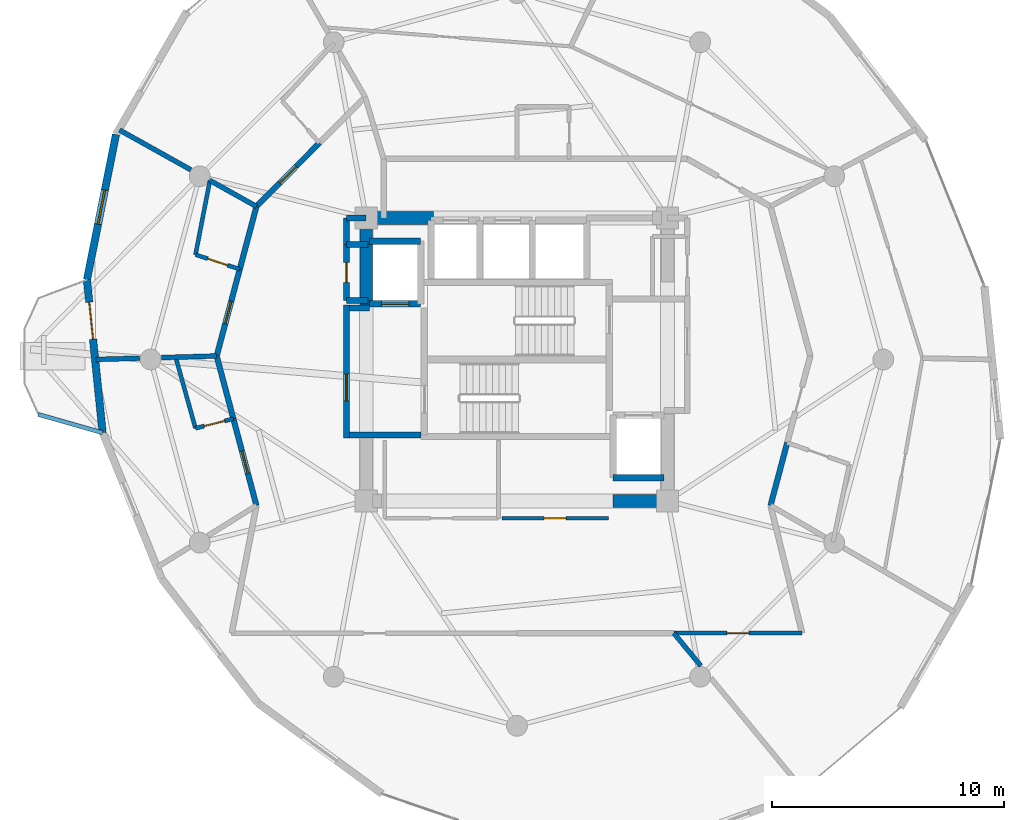
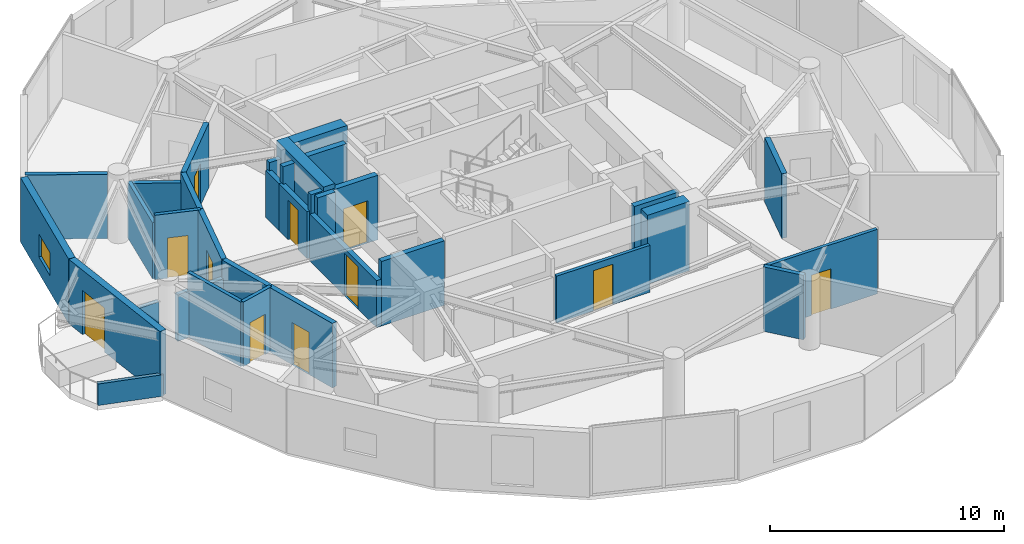
# One storey, part 12 of 17: 34 walls, 11 doors, 1 window, 12 openings.
"""IFC4 building model written with IfcOpenShell, lengths in metres."""

from ifc_helpers import new_model, si_unit, direction, frame, frame_2d, origin, place, context, subcontext, project, spatial, rectangle, extrude, material, layer, layer_set, type_object, element, fill, save


model = new_model("IFC4")

# Units and contexts
model_context = context("Model", 3, precision=1e-05, world=origin(), true_north=direction((0.0, 1.0)))
body_context = subcontext(model_context, "Body", "Model", "MODEL_VIEW")
ifc_project = project(units=[si_unit("LENGTHUNIT", "METRE"), si_unit("AREAUNIT", "SQUARE_METRE"), si_unit("VOLUMEUNIT", "CUBIC_METRE"), si_unit("PLANEANGLEUNIT", "RADIAN"), si_unit("MASSUNIT", "GRAM", prefix="KILO")], contexts=[model_context])

# Site, building, storey
site_placement = place(None, origin())
site = spatial("IfcSite", under=ifc_project, at=site_placement, CompositionType="ELEMENT")
building_placement = place(site_placement, origin())
building = spatial("IfcBuilding", under=site, at=building_placement, Name="Solvirekh Grand Hotel", CompositionType="ELEMENT")
storey_placement = place(building_placement, frame((0.0, 0.0, 191.199951171875)))
storey = spatial("IfcBuildingStorey", under=building, at=storey_placement, Name="L49", CompositionType="ELEMENT", Elevation=191.199951171875)

# Wall, opening, door
ifc_material_1 = material(Name="Concrete C40/50", Category="concrete")
ifc_layer_1 = layer(ifc_material_1, 0.280029296875)
ifc_layer_set_1 = layer_set([ifc_layer_1], Name="Concrete C40/50")
wall_type_1 = type_object("IfcWallType", Name="CoreShaftWall_RC280", PredefinedType="SOLIDWALL", material=ifc_layer_set_1)
wall_1_placement = place(storey_placement, frame((-6.35009765625, 2.39990234375, 0.0), z_axis=(0.0, 0.0, 1.0), x_axis=(1.0, 0.0, 0.0)))
wall_1 = element("IfcWall", 1, at=wall_1_placement, inside=storey, type_object=wall_type_1, Name="L49 FL-1 hoistway S wall", PredefinedType="SOLIDWALL", context=body_context, shape_type="SweptSolid", body=[
    extrude(rectangle(XDim=2.2001953125, YDim=0.280029296875, at=frame_2d((1.10009765625, 0.0))), origin(), (0.0, 0.0, 1.0), 3.360107421875),
])
opening_1_placement = place(wall_1_placement, frame((0.5, 0.0, 0.0)))
opening_1 = element("IfcOpeningElement", 2, at=opening_1_placement, cuts=wall_1, Name="Opening LD02", PredefinedType="OPENING", context=body_context, shape_type="SweptSolid", body=[
    extrude(rectangle(XDim=1.199951171875, YDim=2.199951171875, at=frame_2d((0.60009765625, 1.10009765625))), frame((0.0, 0.14990234375, 0.0), z_axis=(0.0, -1.0, 0.0), x_axis=(1.0, 0.0, 0.0)), (0.0, 0.0, 1.0), 0.300048828125),
])
ifc_material_2 = material(Name="Fire-Rated Steel Door Assembly", Category="steel")
door_type_1 = type_object("IfcDoorType", Name="Door_LiftFF_1200X2200", OperationType="SLIDING_TO_LEFT", PredefinedType="DOOR", material=ifc_material_2)
door_1_placement = place(opening_1_placement, origin())
door_1 = element("IfcDoor", 3, at=door_1_placement, inside=storey, type_object=door_type_1, Name="L49 FL-1 sliding lift landing door", OperationType="SLIDING_TO_LEFT", OverallHeight=2.199951171875, OverallWidth=1.199951171875, PredefinedType="DOOR", context=body_context, shape_type="SweptSolid", body=[
    extrude(rectangle(XDim=1.199951171875, YDim=2.199951171875, at=frame_2d((0.60009765625, 1.10009765625))), frame((0.0, 0.02490234375, 0.0), z_axis=(0.0, -1.0, 0.0), x_axis=(1.0, 0.0, 0.0)), (0.0, 0.0, 1.0), 0.050048828125),
])
fill(opening_1, door_1)

# Walls
for number, where, z_axis, x_axis, name in (
    (4, (-4.14990234375, 5.10009765625, 0.0), (0.0, 0.0, 1.0), (-1.0, 0.0, 0.0), "L49 FL-1 hoistway N wall"),
    (5, (4.14990234375, -5.10009765625, 0.0), (0.0, 0.0, 1.0), (1.0, 0.0, 0.0), "L49 FL-2 hoistway S wall"),
):
    element("IfcWall", number, at=place(storey_placement, frame(where, z_axis=z_axis, x_axis=x_axis)), inside=storey, type_object=wall_type_1, Name=name, PredefinedType="SOLIDWALL", context=body_context, shape_type="SweptSolid", body=[
        extrude(rectangle(XDim=2.2001953125, YDim=0.280029296875, at=frame_2d((1.10009765625, 0.0))), origin(), (0.0, 0.0, 1.0), 3.360107421875),
    ])
ifc_material_3 = material(Name="Concrete C50/60", Category="concrete")
ifc_layer_2 = layer(ifc_material_3, 0.550048828125)
ifc_layer_set_2 = layer_set([ifc_layer_2], Name="Concrete C50/60")
wall_type_2 = type_object("IfcWallType", Name="CoreWall_RC550", PredefinedType="SHEAR", material=ifc_layer_set_2)
wall_2_placement = place(storey_placement, frame((4.14990234375, -6.10009765625, 0.0), z_axis=(0.0, 0.0, 1.0), x_axis=(1.0, 0.0, 0.0)))
element("IfcWall", 6, at=wall_2_placement, inside=storey, type_object=wall_type_2, Name="L49 core corner shear wall SE-S", PredefinedType="SHEAR", context=body_context, shape_type="SweptSolid", body=[
    extrude(rectangle(XDim=2.0751953125, YDim=0.550048828125, at=frame_2d((1.03759765625, 0.0))), origin(), (0.0, 0.0, 1.0), 3.60009765625),
])
wall_3_placement = place(storey_placement, frame((-6.22509765625, 6.10009765625, 0.0), z_axis=(0.0, 0.0, 1.0), x_axis=(1.0, 0.0, 0.0)))
element("IfcWall", 7, at=wall_3_placement, inside=storey, type_object=wall_type_2, Name="L49 core corner shear wall NW-N", PredefinedType="SHEAR", context=body_context, shape_type="SweptSolid", body=[
    extrude(rectangle(XDim=2.625, YDim=0.550048828125, at=frame_2d((1.3125, 0.0))), origin(), (0.0, 0.0, 1.0), 3.60009765625),
])
wall_4_placement = place(storey_placement, frame((-6.5, 2.35009765625, 0.0), z_axis=(0.0, 0.0, 1.0), x_axis=(0.0, 1.0, 0.0)))
element("IfcWall", 8, at=wall_4_placement, inside=storey, type_object=wall_type_2, Name="L49 core corner shear wall WN-W", PredefinedType="SHEAR", context=body_context, shape_type="SweptSolid", body=[
    extrude(rectangle(XDim=4.02490234375, YDim=0.550048828125, at=frame_2d((2.012451171875, 0.0))), origin(), (0.0, 0.0, 1.0), 3.60009765625),
])

# Wall, opening, window
ifc_material_4 = material(Name="Precast concrete C45/55", Category="concrete")
ifc_layer_3 = layer(ifc_material_4, 0.320068359375)
ifc_layer_set_3 = layer_set([ifc_layer_3], Name="Precast concrete C45/55")
wall_type_3 = type_object("IfcWallType", Name="ExtLobbyWall_RC320", PredefinedType="SOLIDWALL", material=ifc_layer_set_3)
wall_5_placement = place(storey_placement, frame((-18.544921875, 3.44091796875, 0.0), z_axis=(0.0, 0.0, 1.0), x_axis=(0.195954463574, 0.980612996144, 0.0)))
wall_5 = element("IfcWall", 9, at=wall_5_placement, inside=storey, type_object=wall_type_3, Name="L49 cantilevered deck support wall chord 13", PredefinedType="SOLIDWALL", context=body_context, shape_type="SweptSolid", body=[
    extrude(rectangle(XDim=6.388916015625, YDim=0.320068359375, at=frame_2d((3.1943359375, 0.0))), origin(), (0.0, 0.0, 1.0), 3.360107421875),
])
opening_2_placement = place(wall_5_placement, frame((2.444091796875, 0.0, 0.85009765625)))
opening_2 = element("IfcOpeningElement", 10, at=opening_2_placement, cuts=wall_5, Name="Opening W05", PredefinedType="OPENING", context=body_context, shape_type="SweptSolid", body=[
    extrude(rectangle(XDim=1.5, YDim=1.199951171875, at=frame_2d((0.75, 0.60009765625))), frame((0.0, 0.169921875, 0.0), z_axis=(0.0, -1.0, 0.0), x_axis=(1.0, 0.0, 0.0)), (0.0, 0.0, 1.0), 0.340087890625),
])
ifc_material_5 = material(Name="Low-E Tinted Bronze Laminated Glass", Category="aluminium")
window_type = type_object("IfcWindowType", Name="Win_PlantVent_1500X1200", PartitioningType="SINGLE_PANEL", PredefinedType="WINDOW", material=ifc_material_5)
window_placement = place(opening_2_placement, origin())
window = element("IfcWindow", 11, at=window_placement, inside=storey, type_object=window_type, Name="L49 bronze-framed vision ribbon window 13", OverallHeight=1.199951171875, OverallWidth=1.5, PartitioningType="SINGLE_PANEL", PredefinedType="WINDOW", context=body_context, shape_type="SweptSolid", body=[
    extrude(rectangle(XDim=1.5, YDim=1.199951171875, at=frame_2d((0.75, 0.60009765625))), frame((0.0, 0.030029296875, 0.0), z_axis=(0.0, -1.0, 0.0), x_axis=(1.0, 0.0, 0.0)), (0.0, 0.0, 1.0), 0.06005859375),
])
fill(opening_2, window)

# Wall, opening, door
wall_6_placement = place(storey_placement, frame((-17.868896484375, -3.160888671875, 0.0), z_axis=(0.0, 0.0, 1.0), x_axis=(-0.101867372905, 0.994797988708, 0.0)))
wall_6 = element("IfcWall", 12, at=wall_6_placement, inside=storey, type_object=wall_type_3, Name="L49 exterior structural wall chord 14", PredefinedType="SOLIDWALL", context=body_context, shape_type="SweptSolid", body=[
    extrude(rectangle(XDim=6.63623046875, YDim=0.320068359375, at=frame_2d((3.318115234375, 0.0))), origin(), (0.0, 0.0, 1.0), 3.360107421875),
])
opening_3_placement = place(wall_6_placement, frame((4.054931640625, 0.0, 0.0)))
opening_3 = element("IfcOpeningElement", 13, at=opening_3_placement, cuts=wall_6, Name="Opening D04", PredefinedType="OPENING", context=body_context, shape_type="SweptSolid", body=[
    extrude(rectangle(XDim=1.60009765625, YDim=2.300048828125, at=frame_2d((0.800048828125, 1.14990234375))), frame((0.0, 0.169921875, 0.0), z_axis=(0.0, -1.0, 0.0), x_axis=(1.0, 0.0, 0.0)), (0.0, 0.0, 1.0), 0.340087890625),
])
ifc_material_6 = material(Name="Anodized Bronze Aluminium 6063-T6", Category="aluminium")
door_type_2 = type_object("IfcDoorType", Name="Door_ExtTerrace_1600X2300", OperationType="NOTDEFINED", PredefinedType="DOOR", material=ifc_material_6)
door_2_placement = place(opening_3_placement, origin())
door_2 = element("IfcDoor", 14, at=door_2_placement, inside=storey, type_object=door_type_2, Name="L49 West horn sky-garden terrace door (14)", OperationType="SINGLE_SWING_LEFT", OverallHeight=2.300048828125, OverallWidth=1.60009765625, PredefinedType="DOOR", context=body_context, shape_type="SweptSolid", body=[
    extrude(rectangle(XDim=1.60009765625, YDim=2.300048828125, at=frame_2d((0.800048828125, 1.14990234375))), frame((0.0, 0.02490234375, 0.0), z_axis=(0.0, -1.0, 0.0), x_axis=(1.0, 0.0, 0.0)), (0.0, 0.0, 1.0), 0.050048828125),
])
fill(opening_3, door_2)

# Wall
ifc_layer_4 = layer(ifc_material_4, 0.179931640625)
ifc_layer_set_4 = layer_set([ifc_layer_4], Name="Precast concrete C45/55")
wall_type_4 = type_object("IfcWallType", Name="ExtPlanterWall_180", PredefinedType="PARAPET", material=ifc_layer_set_4)
wall_7_placement = place(storey_placement, frame((-20.64501953125, -2.368896484375, 0.0), z_axis=(0.0, 0.0, 1.0), x_axis=(0.961632376074, -0.274341344471, 0.0)))
element("IfcWall", 15, at=wall_7_placement, inside=storey, type_object=wall_type_4, Name="L49 horn sky-garden planter parapet", PredefinedType="PARAPET", context=body_context, shape_type="SweptSolid", body=[
    extrude(rectangle(XDim=2.886962890625, YDim=0.179931640625, at=frame_2d((1.443359375, 0.0))), origin(), (0.0, 0.0, 1.0), 1.1201171875),
])

# Wall, opening, door
ifc_material_7 = material(Name="Acoustic Gypsum Partition Assembly")
ifc_layer_5 = layer(ifc_material_7, 0.1650390625)
ifc_layer_set_5 = layer_set([ifc_layer_5], Name="Acoustic Gypsum Partition Assembly")
wall_type_5 = type_object("IfcWallType", Name="Part_BOH_165", PredefinedType="PARTITIONING", material=ifc_layer_set_5)
wall_8_placement = place(storey_placement, frame((-0.64990234375, -6.85009765625, 0.0), z_axis=(0.0, 0.0, 1.0), x_axis=(1.0, 0.0, 0.0)))
wall_8 = element("IfcWall", 16, at=wall_8_placement, inside=storey, type_object=wall_type_5, Name="L49 Butler Valet Steward Room wall 1", PredefinedType="PARTITIONING", context=body_context, shape_type="SweptSolid", body=[
    extrude(rectangle(XDim=4.599853515625, YDim=0.1650390625, at=frame_2d((2.2998046875, 0.0))), origin(), (0.0, 0.0, 1.0), 2.445068359375),
])
opening_4_placement = place(wall_8_placement, frame((1.824951171875, 0.0, 0.0)))
opening_4 = element("IfcOpeningElement", 17, at=opening_4_placement, cuts=wall_8, Name="Opening D10", PredefinedType="OPENING", context=body_context, shape_type="SweptSolid", body=[
    extrude(rectangle(XDim=0.949951171875, YDim=2.10009765625, at=frame_2d((0.47509765625, 1.050048828125))), frame((0.0, 0.092529296875, 0.0), z_axis=(0.0, -1.0, 0.0), x_axis=(1.0, 0.0, 0.0)), (0.0, 0.0, 1.0), 0.18505859375),
])
door_type_3 = type_object("IfcDoorType", Name="Door_RoomInt_950X2100", OperationType="NOTDEFINED", PredefinedType="DOOR", material=ifc_material_6)
door_3_placement = place(opening_4_placement, origin())
door_3 = element("IfcDoor", 18, at=door_3_placement, inside=storey, type_object=door_type_3, Name="L49 Butler Valet Steward Room door", OperationType="SINGLE_SWING_LEFT", OverallHeight=2.10009765625, OverallWidth=0.949951171875, PredefinedType="DOOR", context=body_context, shape_type="SweptSolid", body=[
    extrude(rectangle(XDim=0.949951171875, YDim=2.10009765625, at=frame_2d((0.47509765625, 1.050048828125))), frame((0.0, 0.02490234375, 0.0), z_axis=(0.0, -1.0, 0.0), x_axis=(1.0, 0.0, 0.0)), (0.0, 0.0, 1.0), 0.050048828125),
])
fill(opening_4, door_3)

wall_9_placement = place(storey_placement, frame((6.764892578125, -11.800048828125, 0.0), z_axis=(0.0, 0.0, 1.0), x_axis=(1.0, 0.0, 0.0)))
wall_9 = element("IfcWall", 19, at=wall_9_placement, inside=storey, type_object=wall_type_5, Name="L49 L49 Butler Valet & Linen Steward Room entrance wall", PredefinedType="PARTITIONING", context=body_context, shape_type="SweptSolid", body=[
    extrude(rectangle(XDim=5.53515625, YDim=0.1650390625, at=frame_2d((2.767578125, 0.0))), origin(), (0.0, 0.0, 1.0), 3.360107421875),
])
opening_5_placement = place(wall_9_placement, frame((2.29296875, 0.0, 0.0)))
opening_5 = element("IfcOpeningElement", 20, at=opening_5_placement, cuts=wall_9, Name="Opening D10", PredefinedType="OPENING", context=body_context, shape_type="SweptSolid", body=[
    extrude(rectangle(XDim=0.949951171875, YDim=2.10009765625, at=frame_2d((0.47509765625, 1.050048828125))), frame((0.0, 0.092529296875, 0.0), z_axis=(0.0, -1.0, 0.0), x_axis=(1.0, 0.0, 0.0)), (0.0, 0.0, 1.0), 0.18505859375),
])
door_4_placement = place(opening_5_placement, origin())
door_4 = element("IfcDoor", 21, at=door_4_placement, inside=storey, type_object=door_type_3, Name="L49 L49 Butler Valet & Linen Steward Room entrance door", OperationType="SINGLE_SWING_LEFT", OverallHeight=2.10009765625, OverallWidth=0.949951171875, PredefinedType="DOOR", context=body_context, shape_type="SweptSolid", body=[
    extrude(rectangle(XDim=0.949951171875, YDim=2.10009765625, at=frame_2d((0.47509765625, 1.050048828125))), frame((0.0, 0.02490234375, 0.0), z_axis=(0.0, -1.0, 0.0), x_axis=(1.0, 0.0, 0.0)), (0.0, 0.0, 1.0), 0.050048828125),
])
fill(opening_5, door_4)

ifc_layer_6 = layer(ifc_material_7, 0.239990234375)
ifc_layer_set_6 = layer_set([ifc_layer_6], Name="Acoustic Gypsum Partition Assembly")
wall_type_6 = type_object("IfcWallType", Name="Part_Corridor_240", PredefinedType="PARTITIONING", material=ifc_layer_set_6)
wall_10_placement = place(storey_placement, frame((-7.35009765625, -3.3798828125, 0.0), z_axis=(0.0, 0.0, 1.0), x_axis=(0.0, 1.0, 0.0)))
wall_10 = element("IfcWall", 22, at=wall_10_placement, inside=storey, type_object=wall_type_6, Name="L49 west firefighting lobby smoke screen wall", PredefinedType="PARTITIONING", context=body_context, shape_type="SweptSolid", body=[
    extrude(rectangle(XDim=5.719970703125, YDim=0.239990234375, at=frame_2d((2.85986328125, 0.0))), origin(), (0.0, 0.0, 1.0), 2.445068359375),
])
opening_6_placement = place(wall_10_placement, frame((1.59912109375, 0.0, 0.0)))
opening_6 = element("IfcOpeningElement", 23, at=opening_6_placement, cuts=wall_10, Name="Opening D06", PredefinedType="OPENING", context=body_context, shape_type="SweptSolid", body=[
    extrude(rectangle(XDim=1.14990234375, YDim=2.199951171875, at=frame_2d((0.574951171875, 1.10009765625))), frame((0.0, 0.1298828125, 0.0), z_axis=(0.0, -1.0, 0.0), x_axis=(1.0, 0.0, 0.0)), (0.0, 0.0, 1.0), 0.260009765625),
])
door_type_4 = type_object("IfcDoorType", Name="Door_FFLobby_1150X2200", OperationType="NOTDEFINED", PredefinedType="DOOR", material=ifc_material_2)
door_5_placement = place(opening_6_placement, origin())
door_5 = element("IfcDoor", 24, at=door_5_placement, inside=storey, type_object=door_type_4, Name="L49 west firefighting lobby smoke door", OperationType="SINGLE_SWING_RIGHT", OverallHeight=2.199951171875, OverallWidth=1.14990234375, PredefinedType="DOOR", context=body_context, shape_type="SweptSolid", body=[
    extrude(rectangle(XDim=1.14990234375, YDim=2.199951171875, at=frame_2d((0.574951171875, 1.10009765625))), frame((0.0, 0.02490234375, 0.0), z_axis=(0.0, -1.0, 0.0), x_axis=(1.0, 0.0, 0.0)), (0.0, 0.0, 1.0), 0.050048828125),
])
fill(opening_6, door_5)

# Walls
wall_11_placement = place(storey_placement, frame((-7.35009765625, 4.949951171875, 0.0), z_axis=(0.0, 0.0, 1.0), x_axis=(0.0, 1.0, 0.0)))
element("IfcWall", 25, at=wall_11_placement, inside=storey, type_object=wall_type_6, Name="L49 NW core cheek closure wall", PredefinedType="PARTITIONING", context=body_context, shape_type="SweptSolid", body=[
    extrude(rectangle(XDim=1.150146484375, YDim=0.239990234375, at=frame_2d((0.5751953125, 0.0))), origin(), (0.0, 0.0, 1.0), 2.445068359375),
])
wall_12_placement = place(storey_placement, frame((-7.35009765625, 6.10009765625, 0.0), z_axis=(0.0, 0.0, 1.0), x_axis=(1.0, 0.0, 0.0)))
element("IfcWall", 26, at=wall_12_placement, inside=storey, type_object=wall_type_6, Name="L49 NW core corner tie wall", PredefinedType="PARTITIONING", context=body_context, shape_type="SweptSolid", body=[
    extrude(rectangle(XDim=0.85009765625, YDim=0.239990234375, at=frame_2d((0.425048828125, 0.0))), origin(), (0.0, 0.0, 1.0), 2.8759765625),
])

# Wall, opening, door
wall_13_placement = place(storey_placement, frame((-8.51806640625, 9.339111328125, 0.0), z_axis=(0.0, 0.0, 1.0), x_axis=(-0.7042534056, -0.70994868878, 0.0)))
wall_13 = element("IfcWall", 27, at=wall_13_placement, inside=storey, type_object=wall_type_6, Name="L49 Deluxe Guestroom 5102 entrance wall", PredefinedType="PARTITIONING", context=body_context, shape_type="SweptSolid", body=[
    extrude(rectangle(XDim=3.858154296875, YDim=0.239990234375, at=frame_2d((1.92919921875, 0.0))), origin(), (0.0, 0.0, 1.0), 3.360107421875),
])
opening_7_placement = place(wall_13_placement, frame((1.428955078125, 0.0, 0.0)))
opening_7 = element("IfcOpeningElement", 28, at=opening_7_placement, cuts=wall_13, Name="Opening D07", PredefinedType="OPENING", context=body_context, shape_type="SweptSolid", body=[
    extrude(rectangle(XDim=1.0, YDim=2.199951171875, at=frame_2d((0.5, 1.10009765625))), frame((0.0, 0.1298828125, 0.0), z_axis=(0.0, -1.0, 0.0), x_axis=(1.0, 0.0, 0.0)), (0.0, 0.0, 1.0), 0.260009765625),
])
door_type_5 = type_object("IfcDoorType", Name="Door_GuestEntry_1000X2200", OperationType="NOTDEFINED", PredefinedType="DOOR", material=ifc_material_2)
door_6_placement = place(opening_7_placement, origin())
door_6 = element("IfcDoor", 29, at=door_6_placement, inside=storey, type_object=door_type_5, Name="L49 Deluxe Guestroom 5102 entrance door", OperationType="SINGLE_SWING_LEFT", OverallHeight=2.199951171875, OverallWidth=1.0, PredefinedType="DOOR", context=body_context, shape_type="SweptSolid", body=[
    extrude(rectangle(XDim=1.0, YDim=2.199951171875, at=frame_2d((0.5, 1.10009765625))), frame((0.0, 0.02490234375, 0.0), z_axis=(0.0, -1.0, 0.0), x_axis=(1.0, 0.0, 0.0)), (0.0, 0.0, 1.0), 0.050048828125),
])
fill(opening_7, door_6)

# Wall
wall_14_placement = place(storey_placement, frame((-11.235107421875, 6.60009765625, 0.0), z_axis=(0.0, 0.0, 1.0), x_axis=(-0.25685481711, -0.966450000221, 0.0)))
element("IfcWall", 30, at=wall_14_placement, inside=storey, type_object=wall_type_6, Name="L49 En-suite Bathroom 5103 corridor backing wall", PredefinedType="PARTITIONING", context=body_context, shape_type="SweptSolid", body=[
    extrude(rectangle(XDim=2.802978515625, YDim=0.239990234375, at=frame_2d((1.4013671875, 0.0))), origin(), (0.0, 0.0, 1.0), 3.360107421875),
])

# Wall, opening, door
wall_15_placement = place(storey_placement, frame((-11.955078125, 3.89111328125, 0.0), z_axis=(0.0, 0.0, 1.0), x_axis=(-0.256991373998, -0.96641369697, 0.0)))
wall_15 = element("IfcWall", 31, at=wall_15_placement, inside=storey, type_object=wall_type_6, Name="L49 Deluxe Guestroom 5103 entrance wall", PredefinedType="PARTITIONING", context=body_context, shape_type="SweptSolid", body=[
    extrude(rectangle(XDim=3.871337890625, YDim=0.239990234375, at=frame_2d((1.935546875, 0.0))), origin(), (0.0, 0.0, 1.0), 3.360107421875),
])
opening_8_placement = place(wall_15_placement, frame((1.43603515625, 0.0, 0.0)))
opening_8 = element("IfcOpeningElement", 32, at=opening_8_placement, cuts=wall_15, Name="Opening D07", PredefinedType="OPENING", context=body_context, shape_type="SweptSolid", body=[
    extrude(rectangle(XDim=1.0, YDim=2.199951171875, at=frame_2d((0.5, 1.10009765625))), frame((0.0, 0.1298828125, 0.0), z_axis=(0.0, -1.0, 0.0), x_axis=(1.0, 0.0, 0.0)), (0.0, 0.0, 1.0), 0.260009765625),
])
door_7_placement = place(opening_8_placement, origin())
door_7 = element("IfcDoor", 33, at=door_7_placement, inside=storey, type_object=door_type_5, Name="L49 Deluxe Guestroom 5103 entrance door", OperationType="SINGLE_SWING_LEFT", OverallHeight=2.199951171875, OverallWidth=1.0, PredefinedType="DOOR", context=body_context, shape_type="SweptSolid", body=[
    extrude(rectangle(XDim=1.0, YDim=2.199951171875, at=frame_2d((0.5, 1.10009765625))), frame((0.0, 0.02490234375, 0.0), z_axis=(0.0, -1.0, 0.0), x_axis=(1.0, 0.0, 0.0)), (0.0, 0.0, 1.0), 0.050048828125),
])
fill(opening_8, door_7)

# Wall
wall_16_placement = place(storey_placement, frame((-12.949951171875, 0.14990234375, 0.0), z_axis=(0.0, 0.0, 1.0), x_axis=(0.25685481711, -0.966450000221, 0.0)))
element("IfcWall", 34, at=wall_16_placement, inside=storey, type_object=wall_type_6, Name="L49 En-suite Bathroom 5104 corridor backing wall", PredefinedType="PARTITIONING", context=body_context, shape_type="SweptSolid", body=[
    extrude(rectangle(XDim=2.802978515625, YDim=0.239990234375, at=frame_2d((1.4013671875, 0.0))), origin(), (0.0, 0.0, 1.0), 3.360107421875),
])

# Wall, opening, door
wall_17_placement = place(storey_placement, frame((-12.22998046875, -2.55908203125, 0.0), z_axis=(0.0, 0.0, 1.0), x_axis=(0.257007037833, -0.966409531464, 0.0)))
wall_17 = element("IfcWall", 35, at=wall_17_placement, inside=storey, type_object=wall_type_6, Name="L49 Deluxe Guestroom 5104 entrance wall", PredefinedType="PARTITIONING", context=body_context, shape_type="SweptSolid", body=[
    extrude(rectangle(XDim=3.87109375, YDim=0.239990234375, at=frame_2d((1.935546875, 0.0))), origin(), (0.0, 0.0, 1.0), 3.360107421875),
])
opening_9_placement = place(wall_17_placement, frame((1.43603515625, 0.0, 0.0)))
opening_9 = element("IfcOpeningElement", 36, at=opening_9_placement, cuts=wall_17, Name="Opening D07", PredefinedType="OPENING", context=body_context, shape_type="SweptSolid", body=[
    extrude(rectangle(XDim=1.0, YDim=2.199951171875, at=frame_2d((0.5, 1.10009765625))), frame((0.0, 0.1298828125, 0.0), z_axis=(0.0, -1.0, 0.0), x_axis=(1.0, 0.0, 0.0)), (0.0, 0.0, 1.0), 0.260009765625),
])
door_8_placement = place(opening_9_placement, origin())
door_8 = element("IfcDoor", 37, at=door_8_placement, inside=storey, type_object=door_type_5, Name="L49 Deluxe Guestroom 5104 entrance door", OperationType="SINGLE_SWING_LEFT", OverallHeight=2.199951171875, OverallWidth=1.0, PredefinedType="DOOR", context=body_context, shape_type="SweptSolid", body=[
    extrude(rectangle(XDim=1.0, YDim=2.199951171875, at=frame_2d((0.5, 1.10009765625))), frame((0.0, 0.02490234375, 0.0), z_axis=(0.0, -1.0, 0.0), x_axis=(1.0, 0.0, 0.0)), (0.0, 0.0, 1.0), 0.050048828125),
])
fill(opening_9, door_8)

# Walls
wall_18_placement = place(storey_placement, frame((10.93505859375, -6.300048828125, 0.0), z_axis=(0.0, 0.0, 1.0), x_axis=(0.25685481711, 0.966450000221, 0.0)))
element("IfcWall", 38, at=wall_18_placement, inside=storey, type_object=wall_type_6, Name="L49 En-suite Bathroom 5105 corridor backing wall", PredefinedType="PARTITIONING", context=body_context, shape_type="SweptSolid", body=[
    extrude(rectangle(XDim=2.802978515625, YDim=0.239990234375, at=frame_2d((1.4013671875, 0.0))), origin(), (0.0, 0.0, 1.0), 3.360107421875),
])
ifc_layer_7 = layer(ifc_material_7, 0.260009765625)
ifc_layer_set_7 = layer_set([ifc_layer_7], Name="Acoustic Gypsum Partition Assembly")
wall_type_7 = type_object("IfcWallType", Name="Part_LobbyFF_260", PredefinedType="PARTITIONING", material=ifc_layer_set_7)
wall_19_placement = place(storey_placement, frame((-7.22509765625, -3.25, 0.0), z_axis=(0.0, 0.0, 1.0), x_axis=(1.0, 0.0, 0.0)))
element("IfcWall", 39, at=wall_19_placement, inside=storey, type_object=wall_type_7, Name="L49 west firefighting lobby south partition", PredefinedType="PARTITIONING", context=body_context, shape_type="SweptSolid", body=[
    extrude(rectangle(XDim=3.09521484375, YDim=0.260009765625, at=frame_2d((1.547607421875, 0.0))), origin(), (0.0, 0.0, 1.0), 3.360107421875),
])
wall_20_placement = place(storey_placement, frame((-7.22509765625, 2.2099609375, 0.0), z_axis=(0.0, 0.0, 1.0), x_axis=(1.0, 0.0, 0.0)))
element("IfcWall", 40, at=wall_20_placement, inside=storey, type_object=wall_type_7, Name="L49 west firefighting lobby NW cheek", PredefinedType="PARTITIONING", context=body_context, shape_type="SweptSolid", body=[
    extrude(rectangle(XDim=0.875, YDim=0.260009765625, at=frame_2d((0.4375, 0.0))), origin(), (0.0, 0.0, 1.0), 3.360107421875),
])
for number, where, z_axis, x_axis, name in (
    (41, (-7.35009765625, 4.949951171875, 0.0), (0.0, 0.0, 1.0), (1.0, 0.0, 0.0), "L49 NW telecom metering cupboard north wall"),
    (42, (-7.35009765625, 2.550048828125, 0.0), (0.0, 0.0, 1.0), (1.0, 0.0, 0.0), "L49 NW telecom metering cupboard south wall"),
):
    element("IfcWall", number, at=place(storey_placement, frame(where, z_axis=z_axis, x_axis=x_axis)), inside=storey, type_object=wall_type_7, Name=name, PredefinedType="PARTITIONING", context=body_context, shape_type="SweptSolid", body=[
        extrude(rectangle(XDim=0.93017578125, YDim=0.260009765625, at=frame_2d((0.465087890625, 0.0))), origin(), (0.0, 0.0, 1.0), 3.360107421875),
    ])

# Wall, opening, door
wall_21_placement = place(storey_placement, frame((-7.35009765625, 2.550048828125, 0.0), z_axis=(0.0, 0.0, 1.0), x_axis=(0.0, 1.0, 0.0)))
wall_21 = element("IfcWall", 43, at=wall_21_placement, inside=storey, type_object=wall_type_7, Name="L49 NW telecom metering cupboard access wall", PredefinedType="PARTITIONING", context=body_context, shape_type="SweptSolid", body=[
    extrude(rectangle(XDim=2.39990234375, YDim=0.260009765625, at=frame_2d((1.199951171875, 0.0))), origin(), (0.0, 0.0, 1.0), 2.445068359375),
])
opening_10_placement = place(wall_21_placement, frame((0.77490234375, 0.0, 0.0)))
opening_10 = element("IfcOpeningElement", 44, at=opening_10_placement, cuts=wall_21, Name="Opening D13", PredefinedType="OPENING", context=body_context, shape_type="SweptSolid", body=[
    extrude(rectangle(XDim=0.85009765625, YDim=2.050048828125, at=frame_2d((0.425048828125, 1.02490234375))), frame((0.0, 0.14013671875, 0.0), z_axis=(0.0, -1.0, 0.0), x_axis=(1.0, 0.0, 0.0)), (0.0, 0.0, 1.0), 0.280029296875),
])
door_type_6 = type_object("IfcDoorType", Name="Door_RiserShaft_850X2050", OperationType="NOTDEFINED", PredefinedType="DOOR", material=ifc_material_2)
door_9_placement = place(opening_10_placement, origin())
door_9 = element("IfcDoor", 45, at=door_9_placement, inside=storey, type_object=door_type_6, Name="L49 telecom metering cupboard access door", OperationType="SINGLE_SWING_RIGHT", OverallHeight=2.050048828125, OverallWidth=0.85009765625, PredefinedType="DOOR", context=body_context, shape_type="SweptSolid", body=[
    extrude(rectangle(XDim=0.85009765625, YDim=2.050048828125, at=frame_2d((0.425048828125, 1.02490234375))), frame((0.0, 0.02490234375, 0.0), z_axis=(0.0, -1.0, 0.0), x_axis=(1.0, 0.0, 0.0)), (0.0, 0.0, 1.0), 0.050048828125),
])
fill(opening_10, door_9)

# Walls
ifc_layer_8 = layer(ifc_material_7, 0.2099609375)
ifc_layer_set_8 = layer_set([ifc_layer_8], Name="Acoustic Gypsum Partition Assembly")
wall_type_8 = type_object("IfcWallType", Name="Part_SuiteDemise_210", PredefinedType="PARTITIONING", material=ifc_layer_set_8)
wall_22_placement = place(storey_placement, frame((-11.235107421875, 6.60009765625, 0.0), z_axis=(0.0, 0.0, 1.0), x_axis=(-0.873226015114, 0.487315428165, 0.0)))
element("IfcWall", 46, at=wall_22_placement, inside=storey, type_object=wall_type_8, Name="L49 suite radial wall 6 (A)", PredefinedType="PARTITIONING", context=body_context, shape_type="SweptSolid", body=[
    extrude(rectangle(XDim=2.303955078125, YDim=0.2099609375, at=frame_2d((1.15185546875, 0.0))), origin(), (0.0, 0.0, 1.0), 2.8759765625),
])
wall_23_placement = place(storey_placement, frame((-14.06201171875, 8.177978515625, 0.0), z_axis=(0.0, 0.0, 1.0), x_axis=(-0.87316820668, 0.487419001316, 0.0)))
element("IfcWall", 47, at=wall_23_placement, inside=storey, type_object=wall_type_8, Name="L49 suite radial wall 6 (B)", PredefinedType="PARTITIONING", context=body_context, shape_type="SweptSolid", body=[
    extrude(rectangle(XDim=3.522705078125, YDim=0.2099609375, at=frame_2d((1.76123046875, 0.0))), origin(), (0.0, 0.0, 1.0), 3.360107421875),
])
wall_24_placement = place(storey_placement, frame((-12.949951171875, 0.14990234375, 0.0), z_axis=(0.0, 0.0, 1.0), x_axis=(-0.999584294169, -0.028831213149, 0.0)))
element("IfcWall", 48, at=wall_24_placement, inside=storey, type_object=wall_type_8, Name="L49 suite radial wall 7 (A)", PredefinedType="PARTITIONING", context=body_context, shape_type="SweptSolid", body=[
    extrude(rectangle(XDim=2.387939453125, YDim=0.2099609375, at=frame_2d((1.19384765625, 0.0))), origin(), (0.0, 0.0, 1.0), 2.420166015625),
])
wall_25_placement = place(storey_placement, frame((-16.26708984375, 0.053955078125, 0.0), z_axis=(0.0, 0.0, 1.0), x_axis=(-0.999591030339, -0.028596714266, 0.0)))
element("IfcWall", 49, at=wall_25_placement, inside=storey, type_object=wall_type_8, Name="L49 suite radial wall 7 (B)", PredefinedType="PARTITIONING", context=body_context, shape_type="SweptSolid", body=[
    extrude(rectangle(XDim=1.88671875, YDim=0.2099609375, at=frame_2d((0.943359375, 0.0))), origin(), (0.0, 0.0, 1.0), 2.420166015625),
])
wall_26_placement = place(storey_placement, frame((6.764892578125, -11.800048828125, 0.0), z_axis=(0.0, 0.0, 1.0), x_axis=(0.635875381736, -0.771791745811, 0.0)))
element("IfcWall", 50, at=wall_26_placement, inside=storey, type_object=wall_type_8, Name="L49 L49 Collector Map Lounge dividing partition 1 (A)", PredefinedType="PARTITIONING", context=body_context, shape_type="SweptSolid", body=[
    extrude(rectangle(XDim=1.832275390625, YDim=0.2099609375, at=frame_2d((0.916015625, 0.0))), origin(), (0.0, 0.0, 1.0), 3.360107421875),
])
ifc_layer_9 = layer(ifc_material_7, 0.175048828125)
ifc_layer_set_9 = layer_set([ifc_layer_9], Name="Acoustic Gypsum Partition Assembly")
wall_type_9 = type_object("IfcWallType", Name="Plumb_Ensuite_175", PredefinedType="PLUMBINGWALL", material=ifc_layer_set_9)
wall_27_placement = place(storey_placement, frame((-13.241943359375, 7.719970703125, 0.0), z_axis=(0.0, 0.0, 1.0), x_axis=(-0.190194194324, -0.981746488889, 0.0)))
element("IfcWall", 51, at=wall_27_placement, inside=storey, type_object=wall_type_9, Name="L49 En-suite Bathroom 5103 outer plumbing wall", PredefinedType="PLUMBINGWALL", context=body_context, shape_type="SweptSolid", body=[
    extrude(rectangle(XDim=3.260498046875, YDim=0.175048828125, at=frame_2d((1.63037109375, 0.0))), origin(), (0.0, 0.0, 1.0), 2.928955078125),
])

# Wall, opening, door
wall_28_placement = place(storey_placement, frame((-11.955078125, 3.89111328125, 0.0), z_axis=(0.0, 0.0, 1.0), x_axis=(-0.949832185547, 0.312760002717, 0.0)))
wall_28 = element("IfcWall", 52, at=wall_28_placement, inside=storey, type_object=wall_type_9, Name="L49 En-suite Bathroom 5103 entry plumbing wall", PredefinedType="PLUMBINGWALL", context=body_context, shape_type="SweptSolid", body=[
    extrude(rectangle(XDim=2.0078125, YDim=0.175048828125, at=frame_2d((1.00390625, 0.0))), origin(), (0.0, 0.0, 1.0), 3.360107421875),
])
opening_11_placement = place(wall_28_placement, frame((0.553955078125, 0.0, 0.0)))
opening_11 = element("IfcOpeningElement", 53, at=opening_11_placement, cuts=wall_28, Name="Opening D09", PredefinedType="OPENING", context=body_context, shape_type="SweptSolid", body=[
    extrude(rectangle(XDim=0.89990234375, YDim=2.10009765625, at=frame_2d((0.449951171875, 1.050048828125))), frame((0.0, 0.09765625, 0.0), z_axis=(0.0, -1.0, 0.0), x_axis=(1.0, 0.0, 0.0)), (0.0, 0.0, 1.0), 0.195068359375),
])
door_type_7 = type_object("IfcDoorType", Name="Door_Ensuite_900X2100", OperationType="NOTDEFINED", PredefinedType="DOOR", material=ifc_material_6)
door_10_placement = place(opening_11_placement, origin())
door_10 = element("IfcDoor", 54, at=door_10_placement, inside=storey, type_object=door_type_7, Name="L49 En-suite Bathroom 5103 door", OperationType="SINGLE_SWING_RIGHT", OverallHeight=2.10009765625, OverallWidth=0.89990234375, PredefinedType="DOOR", context=body_context, shape_type="SweptSolid", body=[
    extrude(rectangle(XDim=0.89990234375, YDim=2.10009765625, at=frame_2d((0.449951171875, 1.050048828125))), frame((0.0, 0.02490234375, 0.0), z_axis=(0.0, -1.0, 0.0), x_axis=(1.0, 0.0, 0.0)), (0.0, 0.0, 1.0), 0.050048828125),
])
fill(opening_11, door_10)

# Wall
wall_29_placement = place(storey_placement, frame((-14.718994140625, 0.09912109375, 0.0), z_axis=(0.0, 0.0, 1.0), x_axis=(0.268676474021, -0.963230477252, 0.0)))
element("IfcWall", 55, at=wall_29_placement, inside=storey, type_object=wall_type_9, Name="L49 En-suite Bathroom 5104 outer plumbing wall", PredefinedType="PLUMBINGWALL", context=body_context, shape_type="SweptSolid", body=[
    extrude(rectangle(XDim=3.18212890625, YDim=0.175048828125, at=frame_2d((1.591064453125, 0.0))), origin(), (0.0, 0.0, 1.0), 3.360107421875),
])

# Wall, opening, door
wall_30_placement = place(storey_placement, frame((-12.22998046875, -2.55908203125, 0.0), z_axis=(0.0, 0.0, 1.0), x_axis=(-0.9703553321, -0.24168270411, 0.0)))
wall_30 = element("IfcWall", 56, at=wall_30_placement, inside=storey, type_object=wall_type_9, Name="L49 En-suite Bathroom 5104 entry plumbing wall", PredefinedType="PLUMBINGWALL", context=body_context, shape_type="SweptSolid", body=[
    extrude(rectangle(XDim=1.683837890625, YDim=0.175048828125, at=frame_2d((0.841796875, 0.0))), origin(), (0.0, 0.0, 1.0), 3.360107421875),
])
opening_12_placement = place(wall_30_placement, frame((0.39208984375, 0.0, 0.0)))
opening_12 = element("IfcOpeningElement", 57, at=opening_12_placement, cuts=wall_30, Name="Opening D09", PredefinedType="OPENING", context=body_context, shape_type="SweptSolid", body=[
    extrude(rectangle(XDim=0.89990234375, YDim=2.10009765625, at=frame_2d((0.449951171875, 1.050048828125))), frame((0.0, 0.09765625, 0.0), z_axis=(0.0, -1.0, 0.0), x_axis=(1.0, 0.0, 0.0)), (0.0, 0.0, 1.0), 0.195068359375),
])
door_11_placement = place(opening_12_placement, origin())
door_11 = element("IfcDoor", 58, at=door_11_placement, inside=storey, type_object=door_type_7, Name="L49 En-suite Bathroom 5104 door", OperationType="SINGLE_SWING_RIGHT", OverallHeight=2.10009765625, OverallWidth=0.89990234375, PredefinedType="DOOR", context=body_context, shape_type="SweptSolid", body=[
    extrude(rectangle(XDim=0.89990234375, YDim=2.10009765625, at=frame_2d((0.449951171875, 1.050048828125))), frame((0.0, 0.02490234375, 0.0), z_axis=(0.0, -1.0, 0.0), x_axis=(1.0, 0.0, 0.0)), (0.0, 0.0, 1.0), 0.050048828125),
])
fill(opening_12, door_11)

save(model, "model.ifc")
